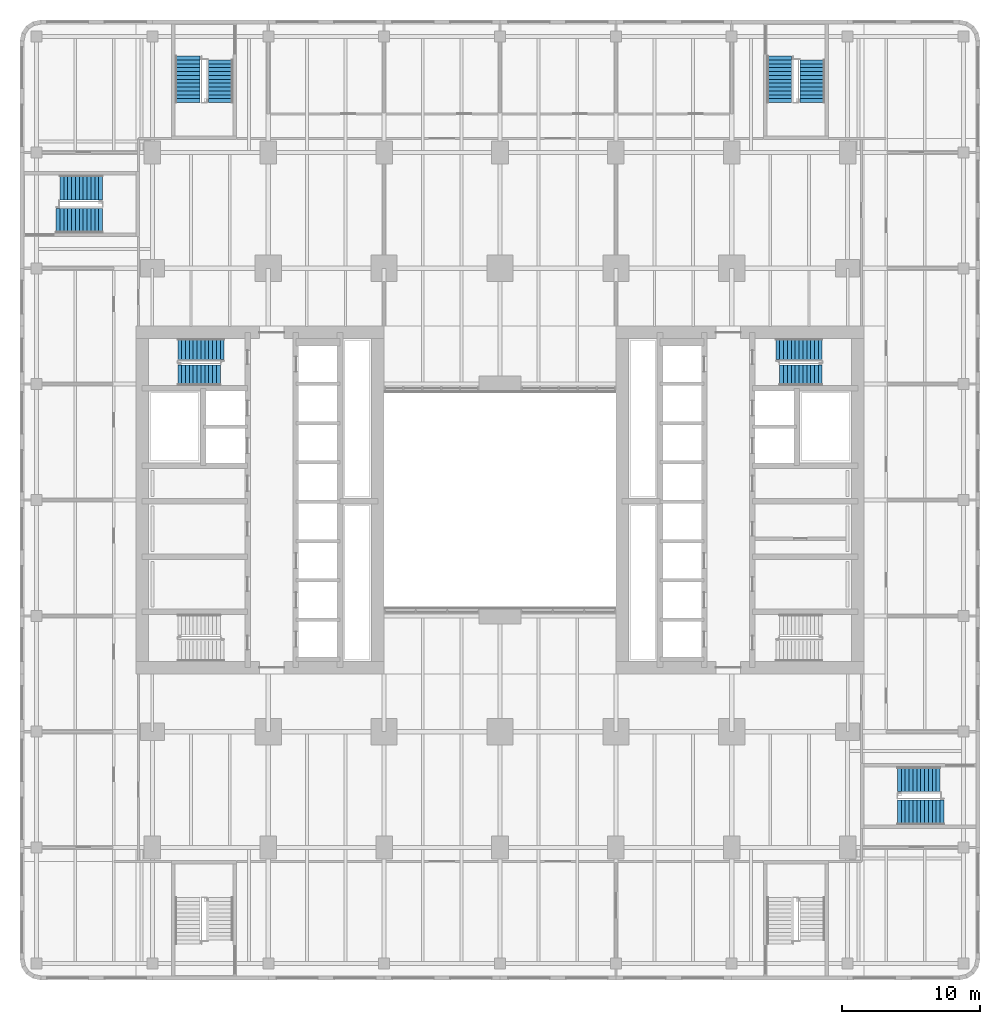
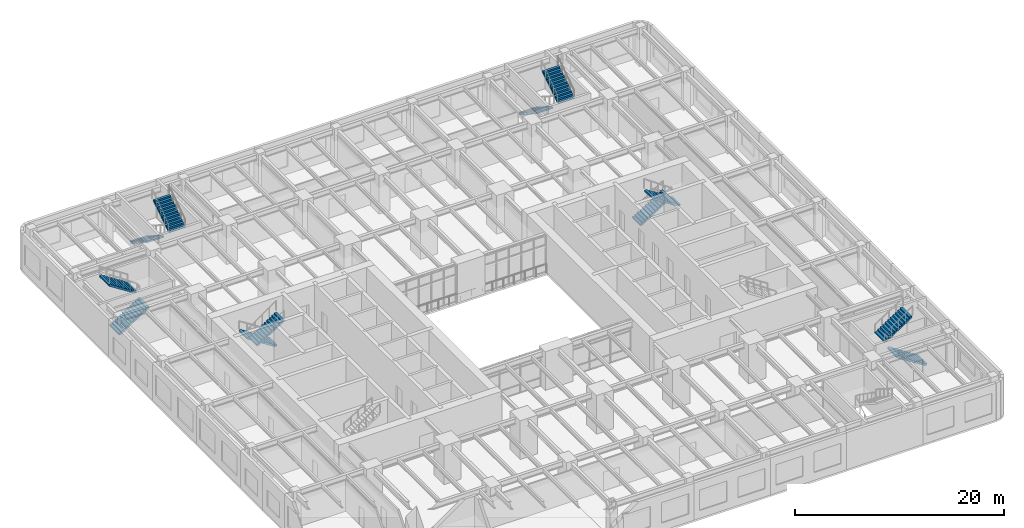
# One storey, part 16 of 26: 12 stair flights, 6 elements without a shape of their own.
"""IFC4 building model written with IfcOpenShell, lengths in metres."""

from ifc_helpers import new_model, si_unit, direction, frame, origin, place, context, subcontext, project, spatial, polyline, outline, extrude, material, type_object, element, aggregate, save


model = new_model("IFC4")

# Units and contexts
model_context = context("Model", 3, precision=1e-05, world=origin(), true_north=direction((0.0, 1.0)))
body_context = subcontext(model_context, "Body", "Model", "MODEL_VIEW")
ifc_project = project(units=[si_unit("LENGTHUNIT", "METRE"), si_unit("AREAUNIT", "SQUARE_METRE"), si_unit("VOLUMEUNIT", "CUBIC_METRE"), si_unit("PLANEANGLEUNIT", "RADIAN"), si_unit("MASSUNIT", "GRAM", prefix="KILO")], contexts=[model_context])

# Site, building, storey
site_placement = place(None, origin())
site = spatial("IfcSite", under=ifc_project, at=site_placement, CompositionType="ELEMENT")
building_placement = place(site_placement, origin())
building = spatial("IfcBuilding", under=site, at=building_placement, Name="Claustro Exchange Tower", CompositionType="ELEMENT")
storey_placement = place(building_placement, frame((0.0, 0.0, 9.89990234375)))
storey = spatial("IfcBuildingStorey", under=building, at=storey_placement, Name="L02", CompositionType="ELEMENT", Elevation=9.89990234375)

# Stair, stair flight
ifc_material_1 = material(Name="Concrete HA-30 (C30/37), precast", Category="concrete")
stair_type_1 = type_object("IfcStairType", Name="ST2 half-turn stair, 25 risers of 180", PredefinedType="HALF_TURN_STAIR", material=ifc_material_1)
stair_1_placement = place(storey_placement, origin())
stair_1 = element("IfcStair", 1, at=stair_1_placement, inside=storey, type_object=stair_type_1, Name="Stair STWB L02", PredefinedType="HALF_TURN_STAIR")
ifc_material_2 = material(Name="Concrete HA-30 (C30/37), precast", Category="concrete")
stair_flight_type_1 = type_object("IfcStairFlightType", Name="SF12B straight flight, 12 risers of 180, 1500 wide", PredefinedType="STRAIGHT", material=ifc_material_2)
stair_flight_1_placement = place(storey_placement, frame((1.840087890625, 34.25, 2.340087890625), z_axis=(0.0, 0.0, 1.0), x_axis=(1.0, 0.0, 0.0)))
stair_flight_1 = element("IfcStairFlight", 2, at=stair_flight_1_placement, type_object=stair_flight_type_1, Name="STWB flight 2", NumberOfRisers=12, NumberOfTreads=11, PredefinedType="STRAIGHT", RiserHeight=0.18, TreadLength=0.28, context=body_context, shape_type="SweptSolid", body=[
    extrude(outline(polyline([(0.0, 0.0), (0.0, 0.179931640625), (0.280029296875, 0.179931640625), (0.280029296875, 0.360107421875), (0.56005859375, 0.360107421875), (0.56005859375, 0.5400390625), (0.840087890625, 0.5400390625), (0.840087890625, 0.719970703125), (1.1201171875, 0.719970703125), (1.1201171875, 0.89990234375), (1.39990234375, 0.89990234375), (1.39990234375, 1.080078125), (1.679931640625, 1.080078125), (1.679931640625, 1.260009765625), (1.9599609375, 1.260009765625), (1.9599609375, 1.43994140625), (2.239990234375, 1.43994140625), (2.239990234375, 1.6201171875), (2.52001953125, 1.6201171875), (2.52001953125, 1.800048828125), (2.800048828125, 1.800048828125), (2.800048828125, 1.97998046875), (3.080078125, 1.97998046875), (3.080078125, 2.159912109375), (3.080078125, 1.8017578125), (0.277099609375, 0.0), (0.0, 0.0)])), frame((0.0, 0.75, 0.0), z_axis=(0.0, -1.0, 0.0), x_axis=(1.0, 0.0, 0.0)), (0.0, 0.0, 1.0), 1.5),
])

stair_2_placement = place(storey_placement, origin())
stair_2 = element("IfcStair", 3, at=stair_2_placement, inside=storey, type_object=stair_type_1, Name="Stair STEB L02", PredefinedType="HALF_TURN_STAIR")
stair_flight_2_placement = place(storey_placement, frame((48.56005859375, 34.25, 2.340087890625), z_axis=(0.0, 0.0, 1.0), x_axis=(-1.0, 0.0, 0.0)))
stair_flight_2 = element("IfcStairFlight", 4, at=stair_flight_2_placement, type_object=stair_flight_type_1, Name="STEB flight 2", NumberOfRisers=12, NumberOfTreads=11, PredefinedType="STRAIGHT", RiserHeight=0.18, TreadLength=0.28, context=body_context, shape_type="SweptSolid", body=[
    extrude(outline(polyline([(0.0, 0.0), (0.0, 0.179931640625), (0.280029296875, 0.179931640625), (0.280029296875, 0.360107421875), (0.56005859375, 0.360107421875), (0.56005859375, 0.5400390625), (0.840087890625, 0.5400390625), (0.840087890625, 0.719970703125), (1.1201171875, 0.719970703125), (1.1201171875, 0.89990234375), (1.39990234375, 0.89990234375), (1.39990234375, 1.080078125), (1.679931640625, 1.080078125), (1.679931640625, 1.260009765625), (1.9599609375, 1.260009765625), (1.9599609375, 1.43994140625), (2.239990234375, 1.43994140625), (2.239990234375, 1.6201171875), (2.52001953125, 1.6201171875), (2.52001953125, 1.800048828125), (2.800048828125, 1.800048828125), (2.800048828125, 1.97998046875), (3.080078125, 1.97998046875), (3.080078125, 2.159912109375), (3.080078125, 1.8017578125), (0.277099609375, 0.0), (0.0, 0.0)])), frame((0.0, 0.75, 0.0), z_axis=(0.0, -1.0, 0.0), x_axis=(1.0, 0.0, 0.0)), (0.0, 0.0, 1.0), 1.5),
])

# Stair flight
ifc_material_3 = material(Name="Concrete HA-30 (C30/37), precast", Category="concrete")
stair_flight_type_2 = type_object("IfcStairFlightType", Name="SF13 straight flight, 13 risers of 180, 1500 wide", PredefinedType="STRAIGHT", material=ifc_material_3)
stair_flight_3_placement = place(storey_placement, frame((5.199951171875, 36.14990234375, 0.0), z_axis=(0.0, 0.0, 1.0), x_axis=(-1.0, 0.0, 0.0)))
stair_flight_3 = element("IfcStairFlight", 5, at=stair_flight_3_placement, type_object=stair_flight_type_2, Name="STWB flight 1", NumberOfRisers=13, NumberOfTreads=12, PredefinedType="STRAIGHT", RiserHeight=0.18, TreadLength=0.28, context=body_context, shape_type="SweptSolid", body=[
    extrude(outline(polyline([(0.0, 0.0), (0.0, 0.179931640625), (0.280029296875, 0.179931640625), (0.280029296875, 0.360107421875), (0.56005859375, 0.360107421875), (0.56005859375, 0.5400390625), (0.840087890625, 0.5400390625), (0.840087890625, 0.719970703125), (1.1201171875, 0.719970703125), (1.1201171875, 0.89990234375), (1.39990234375, 0.89990234375), (1.39990234375, 1.080078125), (1.679931640625, 1.080078125), (1.679931640625, 1.260009765625), (1.9599609375, 1.260009765625), (1.9599609375, 1.43994140625), (2.239990234375, 1.43994140625), (2.239990234375, 1.6201171875), (2.52001953125, 1.6201171875), (2.52001953125, 1.800048828125), (2.800048828125, 1.800048828125), (2.800048828125, 1.97998046875), (3.080078125, 1.97998046875), (3.080078125, 2.159912109375), (3.360107421875, 2.159912109375), (3.360107421875, 2.340087890625), (3.360107421875, 1.981689453125), (0.277099609375, 0.0), (0.0, 0.0)])), frame((0.0, 0.75, 0.0), z_axis=(0.0, -1.0, 0.0), x_axis=(1.0, 0.0, 0.0)), (0.0, 0.0, 1.0), 1.5),
])

aggregate(stair_1, [stair_flight_3, stair_flight_1])

stair_flight_4_placement = place(storey_placement, frame((45.199951171875, 36.14990234375, 0.0), z_axis=(0.0, 0.0, 1.0), x_axis=(1.0, 0.0, 0.0)))
stair_flight_4 = element("IfcStairFlight", 6, at=stair_flight_4_placement, type_object=stair_flight_type_2, Name="STEB flight 1", NumberOfRisers=13, NumberOfTreads=12, PredefinedType="STRAIGHT", RiserHeight=0.18, TreadLength=0.28, context=body_context, shape_type="SweptSolid", body=[
    extrude(outline(polyline([(0.0, 0.0), (0.0, 0.179931640625), (0.280029296875, 0.179931640625), (0.280029296875, 0.360107421875), (0.56005859375, 0.360107421875), (0.56005859375, 0.5400390625), (0.840087890625, 0.5400390625), (0.840087890625, 0.719970703125), (1.1201171875, 0.719970703125), (1.1201171875, 0.89990234375), (1.39990234375, 0.89990234375), (1.39990234375, 1.080078125), (1.679931640625, 1.080078125), (1.679931640625, 1.260009765625), (1.9599609375, 1.260009765625), (1.9599609375, 1.43994140625), (2.239990234375, 1.43994140625), (2.239990234375, 1.6201171875), (2.52001953125, 1.6201171875), (2.52001953125, 1.800048828125), (2.800048828125, 1.800048828125), (2.800048828125, 1.97998046875), (3.080078125, 1.97998046875), (3.080078125, 2.159912109375), (3.360107421875, 2.159912109375), (3.360107421875, 2.340087890625), (3.360107421875, 1.981689453125), (0.277099609375, 0.0), (0.0, 0.0)])), frame((0.0, 0.75, 0.0), z_axis=(0.0, -1.0, 0.0), x_axis=(1.0, 0.0, 0.0)), (0.0, 0.0, 1.0), 1.5),
])

aggregate(stair_2, [stair_flight_4, stair_flight_2])

# Stair, stair flight
ifc_material_4 = material(Name="Concrete HA-30 (C30/37), precast", Category="concrete")
stair_type_2 = type_object("IfcStairType", Name="ST5 half-turn podium escape stair, 25 risers of 180, 1800 flights", PredefinedType="HALF_TURN_STAIR", material=ifc_material_4)
stair_3_placement = place(storey_placement, origin())
stair_3 = element("IfcStair", 7, at=stair_3_placement, inside=storey, type_object=stair_type_2, Name="Stair STP3 L02", PredefinedType="HALF_TURN_STAIR")
ifc_material_5 = material(Name="Concrete HA-30 (C30/37), precast", Category="concrete")
stair_flight_type_3 = type_object("IfcStairFlightType", Name="SFP12 straight flight, 12 risers of 180, 1800 wide", PredefinedType="STRAIGHT", material=ifc_material_5)
stair_flight_5_placement = place(storey_placement, frame((4.949951171875, 54.02001953125, 2.340087890625), z_axis=(0.0, 0.0, 1.0), x_axis=(0.0, 1.0, 0.0)))
stair_flight_5 = element("IfcStairFlight", 8, at=stair_flight_5_placement, type_object=stair_flight_type_3, Name="STP3 flight 2", NumberOfRisers=12, NumberOfTreads=11, PredefinedType="STRAIGHT", RiserHeight=0.18, TreadLength=0.28, context=body_context, shape_type="SweptSolid", body=[
    extrude(outline(polyline([(0.0, 0.0), (0.0, 0.179931640625), (0.280029296875, 0.179931640625), (0.280029296875, 0.360107421875), (0.56005859375, 0.360107421875), (0.56005859375, 0.5400390625), (0.840087890625, 0.5400390625), (0.840087890625, 0.719970703125), (1.1201171875, 0.719970703125), (1.1201171875, 0.89990234375), (1.39990234375, 0.89990234375), (1.39990234375, 1.080078125), (1.679931640625, 1.080078125), (1.679931640625, 1.260009765625), (1.9599609375, 1.260009765625), (1.9599609375, 1.43994140625), (2.239990234375, 1.43994140625), (2.239990234375, 1.6201171875), (2.52001953125, 1.6201171875), (2.52001953125, 1.800048828125), (2.800048828125, 1.800048828125), (2.800048828125, 1.97998046875), (3.080078125, 1.97998046875), (3.080078125, 2.159912109375), (3.080078125, 1.8017578125), (0.277099609375, 0.0), (0.0, 0.0)])), frame((0.0, 0.89990234375, 0.0), z_axis=(0.0, -1.0, 0.0), x_axis=(1.0, 0.0, 0.0)), (0.0, 0.0, 1.0), 1.800048828125),
])

stair_4_placement = place(storey_placement, origin())
stair_4 = element("IfcStair", 9, at=stair_4_placement, inside=storey, type_object=stair_type_2, Name="Stair STP4 L02", PredefinedType="HALF_TURN_STAIR")
stair_flight_6_placement = place(storey_placement, frame((47.85009765625, 54.02001953125, 2.340087890625), z_axis=(0.0, 0.0, 1.0), x_axis=(0.0, 1.0, 0.0)))
stair_flight_6 = element("IfcStairFlight", 10, at=stair_flight_6_placement, type_object=stair_flight_type_3, Name="STP4 flight 2", NumberOfRisers=12, NumberOfTreads=11, PredefinedType="STRAIGHT", RiserHeight=0.18, TreadLength=0.28, context=body_context, shape_type="SweptSolid", body=[
    extrude(outline(polyline([(0.0, 0.0), (0.0, 0.179931640625), (0.280029296875, 0.179931640625), (0.280029296875, 0.360107421875), (0.56005859375, 0.360107421875), (0.56005859375, 0.5400390625), (0.840087890625, 0.5400390625), (0.840087890625, 0.719970703125), (1.1201171875, 0.719970703125), (1.1201171875, 0.89990234375), (1.39990234375, 0.89990234375), (1.39990234375, 1.080078125), (1.679931640625, 1.080078125), (1.679931640625, 1.260009765625), (1.9599609375, 1.260009765625), (1.9599609375, 1.43994140625), (2.239990234375, 1.43994140625), (2.239990234375, 1.6201171875), (2.52001953125, 1.6201171875), (2.52001953125, 1.800048828125), (2.800048828125, 1.800048828125), (2.800048828125, 1.97998046875), (3.080078125, 1.97998046875), (3.080078125, 2.159912109375), (3.080078125, 1.8017578125), (0.277099609375, 0.0), (0.0, 0.0)])), frame((0.0, 0.89990234375, 0.0), z_axis=(0.0, -1.0, 0.0), x_axis=(1.0, 0.0, 0.0)), (0.0, 0.0, 1.0), 1.800048828125),
])

stair_5_placement = place(storey_placement, origin())
stair_5 = element("IfcStair", 11, at=stair_5_placement, inside=storey, type_object=stair_type_2, Name="Stair STP5 L02", PredefinedType="HALF_TURN_STAIR")
stair_flight_7_placement = place(storey_placement, frame((-3.6201171875, 47.85009765625, 2.340087890625), z_axis=(0.0, 0.0, 1.0), x_axis=(-1.0, 0.0, 0.0)))
stair_flight_7 = element("IfcStairFlight", 12, at=stair_flight_7_placement, type_object=stair_flight_type_3, Name="STP5 flight 2", NumberOfRisers=12, NumberOfTreads=11, PredefinedType="STRAIGHT", RiserHeight=0.18, TreadLength=0.28, context=body_context, shape_type="SweptSolid", body=[
    extrude(outline(polyline([(0.0, 0.0), (0.0, 0.179931640625), (0.280029296875, 0.179931640625), (0.280029296875, 0.360107421875), (0.56005859375, 0.360107421875), (0.56005859375, 0.5400390625), (0.840087890625, 0.5400390625), (0.840087890625, 0.719970703125), (1.1201171875, 0.719970703125), (1.1201171875, 0.89990234375), (1.39990234375, 0.89990234375), (1.39990234375, 1.080078125), (1.679931640625, 1.080078125), (1.679931640625, 1.260009765625), (1.9599609375, 1.260009765625), (1.9599609375, 1.43994140625), (2.239990234375, 1.43994140625), (2.239990234375, 1.6201171875), (2.52001953125, 1.6201171875), (2.52001953125, 1.800048828125), (2.800048828125, 1.800048828125), (2.800048828125, 1.97998046875), (3.080078125, 1.97998046875), (3.080078125, 2.159912109375), (3.080078125, 1.8017578125), (0.277099609375, 0.0), (0.0, 0.0)])), frame((0.0, 0.89990234375, 0.0), z_axis=(0.0, -1.0, 0.0), x_axis=(1.0, 0.0, 0.0)), (0.0, 0.0, 1.0), 1.800048828125),
])

stair_6_placement = place(storey_placement, origin())
stair_6 = element("IfcStair", 13, at=stair_6_placement, inside=storey, type_object=stair_type_2, Name="Stair STP6 L02", PredefinedType="HALF_TURN_STAIR")
stair_flight_8_placement = place(storey_placement, frame((54.02001953125, 4.949951171875, 2.340087890625), z_axis=(0.0, 0.0, 1.0), x_axis=(1.0, 0.0, 0.0)))
stair_flight_8 = element("IfcStairFlight", 14, at=stair_flight_8_placement, type_object=stair_flight_type_3, Name="STP6 flight 2", NumberOfRisers=12, NumberOfTreads=11, PredefinedType="STRAIGHT", RiserHeight=0.18, TreadLength=0.28, context=body_context, shape_type="SweptSolid", body=[
    extrude(outline(polyline([(0.0, 0.0), (0.0, 0.179931640625), (0.280029296875, 0.179931640625), (0.280029296875, 0.360107421875), (0.56005859375, 0.360107421875), (0.56005859375, 0.5400390625), (0.840087890625, 0.5400390625), (0.840087890625, 0.719970703125), (1.1201171875, 0.719970703125), (1.1201171875, 0.89990234375), (1.39990234375, 0.89990234375), (1.39990234375, 1.080078125), (1.679931640625, 1.080078125), (1.679931640625, 1.260009765625), (1.9599609375, 1.260009765625), (1.9599609375, 1.43994140625), (2.239990234375, 1.43994140625), (2.239990234375, 1.6201171875), (2.52001953125, 1.6201171875), (2.52001953125, 1.800048828125), (2.800048828125, 1.800048828125), (2.800048828125, 1.97998046875), (3.080078125, 1.97998046875), (3.080078125, 2.159912109375), (3.080078125, 1.8017578125), (0.277099609375, 0.0), (0.0, 0.0)])), frame((0.0, 0.89990234375, 0.0), z_axis=(0.0, -1.0, 0.0), x_axis=(1.0, 0.0, 0.0)), (0.0, 0.0, 1.0), 1.800048828125),
])

# Stair flight
ifc_material_6 = material(Name="Concrete HA-30 (C30/37), precast", Category="concrete")
stair_flight_type_4 = type_object("IfcStairFlightType", Name="SFP13 straight flight, 13 risers of 180, 1800 wide", PredefinedType="STRAIGHT", material=ifc_material_6)
stair_flight_9_placement = place(storey_placement, frame((2.550048828125, 57.3798828125, 0.0), z_axis=(0.0, 0.0, 1.0), x_axis=(0.0, -1.0, 0.0)))
stair_flight_9 = element("IfcStairFlight", 15, at=stair_flight_9_placement, type_object=stair_flight_type_4, Name="STP3 flight 1", NumberOfRisers=13, NumberOfTreads=12, PredefinedType="STRAIGHT", RiserHeight=0.18, TreadLength=0.28, context=body_context, shape_type="SweptSolid", body=[
    extrude(outline(polyline([(0.0, 0.0), (0.0, 0.179931640625), (0.280029296875, 0.179931640625), (0.280029296875, 0.360107421875), (0.56005859375, 0.360107421875), (0.56005859375, 0.5400390625), (0.840087890625, 0.5400390625), (0.840087890625, 0.719970703125), (1.1201171875, 0.719970703125), (1.1201171875, 0.89990234375), (1.39990234375, 0.89990234375), (1.39990234375, 1.080078125), (1.679931640625, 1.080078125), (1.679931640625, 1.260009765625), (1.9599609375, 1.260009765625), (1.9599609375, 1.43994140625), (2.239990234375, 1.43994140625), (2.239990234375, 1.6201171875), (2.52001953125, 1.6201171875), (2.52001953125, 1.800048828125), (2.800048828125, 1.800048828125), (2.800048828125, 1.97998046875), (3.080078125, 1.97998046875), (3.080078125, 2.159912109375), (3.360107421875, 2.159912109375), (3.360107421875, 2.340087890625), (3.360107421875, 1.981689453125), (0.277099609375, 0.0), (0.0, 0.0)])), frame((0.0, 0.89990234375, 0.0), z_axis=(0.0, -1.0, 0.0), x_axis=(1.0, 0.0, 0.0)), (0.0, 0.0, 1.0), 1.800048828125),
])

aggregate(stair_3, [stair_flight_9, stair_flight_5])

stair_flight_10_placement = place(storey_placement, frame((45.449951171875, 57.3798828125, 0.0), z_axis=(0.0, 0.0, 1.0), x_axis=(0.0, -1.0, 0.0)))
stair_flight_10 = element("IfcStairFlight", 16, at=stair_flight_10_placement, type_object=stair_flight_type_4, Name="STP4 flight 1", NumberOfRisers=13, NumberOfTreads=12, PredefinedType="STRAIGHT", RiserHeight=0.18, TreadLength=0.28, context=body_context, shape_type="SweptSolid", body=[
    extrude(outline(polyline([(0.0, 0.0), (0.0, 0.179931640625), (0.280029296875, 0.179931640625), (0.280029296875, 0.360107421875), (0.56005859375, 0.360107421875), (0.56005859375, 0.5400390625), (0.840087890625, 0.5400390625), (0.840087890625, 0.719970703125), (1.1201171875, 0.719970703125), (1.1201171875, 0.89990234375), (1.39990234375, 0.89990234375), (1.39990234375, 1.080078125), (1.679931640625, 1.080078125), (1.679931640625, 1.260009765625), (1.9599609375, 1.260009765625), (1.9599609375, 1.43994140625), (2.239990234375, 1.43994140625), (2.239990234375, 1.6201171875), (2.52001953125, 1.6201171875), (2.52001953125, 1.800048828125), (2.800048828125, 1.800048828125), (2.800048828125, 1.97998046875), (3.080078125, 1.97998046875), (3.080078125, 2.159912109375), (3.360107421875, 2.159912109375), (3.360107421875, 2.340087890625), (3.360107421875, 1.981689453125), (0.277099609375, 0.0), (0.0, 0.0)])), frame((0.0, 0.89990234375, 0.0), z_axis=(0.0, -1.0, 0.0), x_axis=(1.0, 0.0, 0.0)), (0.0, 0.0, 1.0), 1.800048828125),
])

aggregate(stair_4, [stair_flight_10, stair_flight_6])

stair_flight_11_placement = place(storey_placement, frame((-6.97998046875, 45.449951171875, 0.0), z_axis=(0.0, 0.0, 1.0), x_axis=(1.0, 0.0, 0.0)))
stair_flight_11 = element("IfcStairFlight", 17, at=stair_flight_11_placement, type_object=stair_flight_type_4, Name="STP5 flight 1", NumberOfRisers=13, NumberOfTreads=12, PredefinedType="STRAIGHT", RiserHeight=0.18, TreadLength=0.28, context=body_context, shape_type="SweptSolid", body=[
    extrude(outline(polyline([(0.0, 0.0), (0.0, 0.179931640625), (0.280029296875, 0.179931640625), (0.280029296875, 0.360107421875), (0.56005859375, 0.360107421875), (0.56005859375, 0.5400390625), (0.840087890625, 0.5400390625), (0.840087890625, 0.719970703125), (1.1201171875, 0.719970703125), (1.1201171875, 0.89990234375), (1.39990234375, 0.89990234375), (1.39990234375, 1.080078125), (1.679931640625, 1.080078125), (1.679931640625, 1.260009765625), (1.9599609375, 1.260009765625), (1.9599609375, 1.43994140625), (2.239990234375, 1.43994140625), (2.239990234375, 1.6201171875), (2.52001953125, 1.6201171875), (2.52001953125, 1.800048828125), (2.800048828125, 1.800048828125), (2.800048828125, 1.97998046875), (3.080078125, 1.97998046875), (3.080078125, 2.159912109375), (3.360107421875, 2.159912109375), (3.360107421875, 2.340087890625), (3.360107421875, 1.981689453125), (0.277099609375, 0.0), (0.0, 0.0)])), frame((0.0, 0.89990234375, 0.0), z_axis=(0.0, -1.0, 0.0), x_axis=(1.0, 0.0, 0.0)), (0.0, 0.0, 1.0), 1.800048828125),
])

aggregate(stair_5, [stair_flight_11, stair_flight_7])

stair_flight_12_placement = place(storey_placement, frame((57.3798828125, 2.550048828125, 0.0), z_axis=(0.0, 0.0, 1.0), x_axis=(-1.0, 0.0, 0.0)))
stair_flight_12 = element("IfcStairFlight", 18, at=stair_flight_12_placement, type_object=stair_flight_type_4, Name="STP6 flight 1", NumberOfRisers=13, NumberOfTreads=12, PredefinedType="STRAIGHT", RiserHeight=0.18, TreadLength=0.28, context=body_context, shape_type="SweptSolid", body=[
    extrude(outline(polyline([(0.0, 0.0), (0.0, 0.179931640625), (0.280029296875, 0.179931640625), (0.280029296875, 0.360107421875), (0.56005859375, 0.360107421875), (0.56005859375, 0.5400390625), (0.840087890625, 0.5400390625), (0.840087890625, 0.719970703125), (1.1201171875, 0.719970703125), (1.1201171875, 0.89990234375), (1.39990234375, 0.89990234375), (1.39990234375, 1.080078125), (1.679931640625, 1.080078125), (1.679931640625, 1.260009765625), (1.9599609375, 1.260009765625), (1.9599609375, 1.43994140625), (2.239990234375, 1.43994140625), (2.239990234375, 1.6201171875), (2.52001953125, 1.6201171875), (2.52001953125, 1.800048828125), (2.800048828125, 1.800048828125), (2.800048828125, 1.97998046875), (3.080078125, 1.97998046875), (3.080078125, 2.159912109375), (3.360107421875, 2.159912109375), (3.360107421875, 2.340087890625), (3.360107421875, 1.981689453125), (0.277099609375, 0.0), (0.0, 0.0)])), frame((0.0, 0.89990234375, 0.0), z_axis=(0.0, -1.0, 0.0), x_axis=(1.0, 0.0, 0.0)), (0.0, 0.0, 1.0), 1.800048828125),
])

aggregate(stair_6, [stair_flight_12, stair_flight_8])

save(model, "model.ifc")
